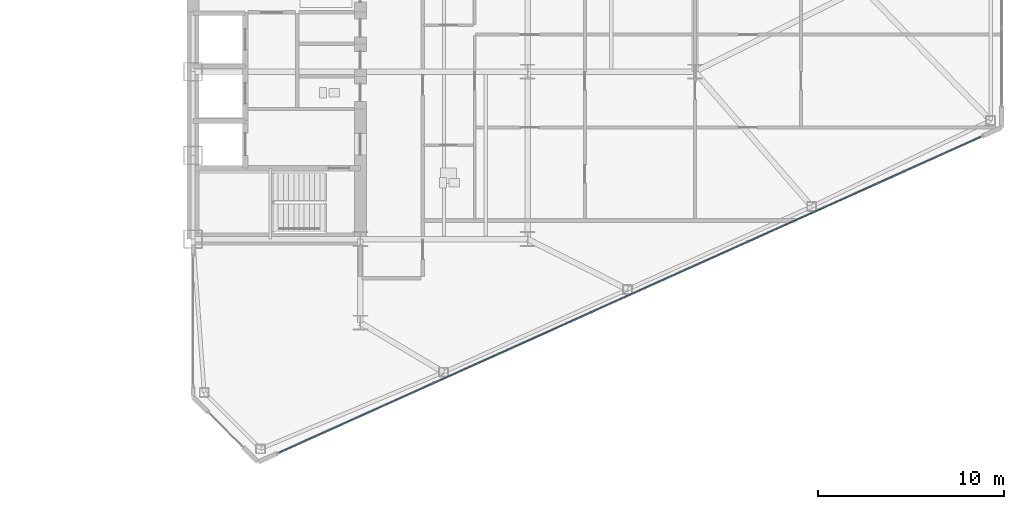
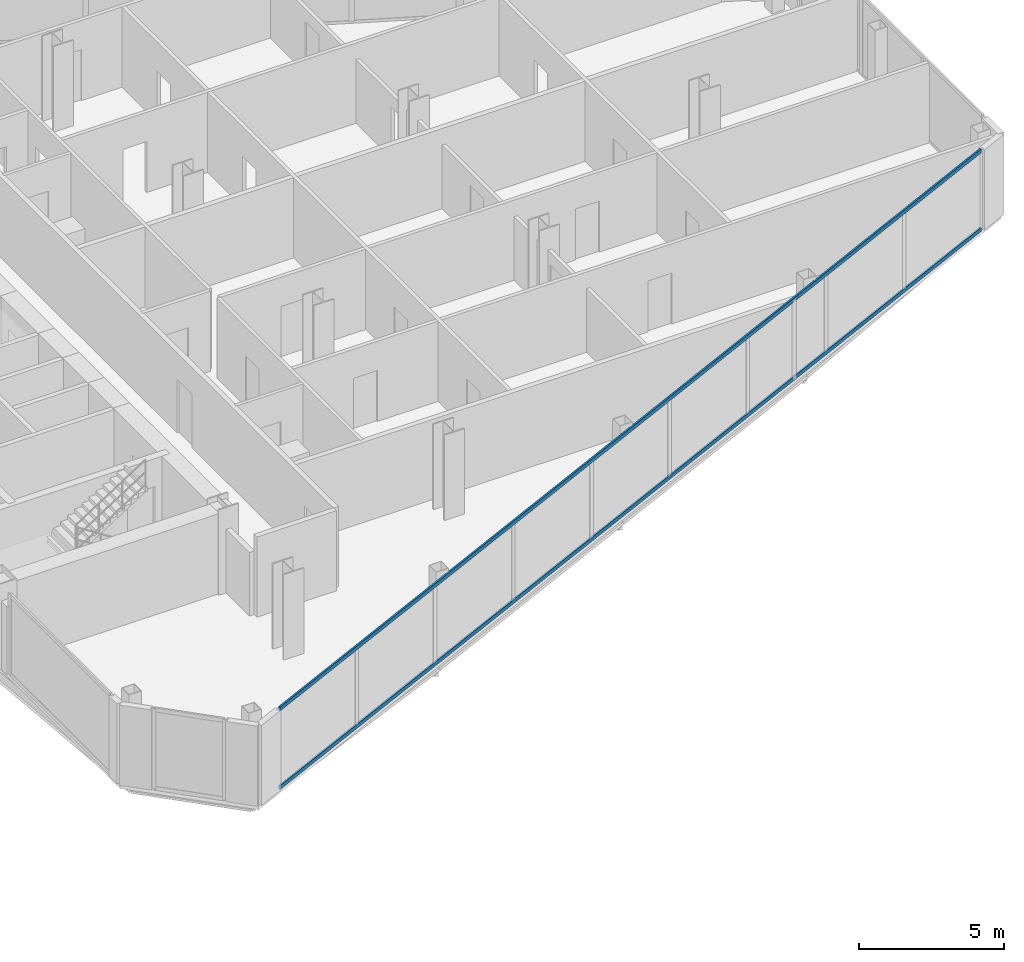
# One storey, part 11 of 27: 2 members, 1 element without a shape of its own.
"""IFC4 building model written with IfcOpenShell, lengths in metres."""

from ifc_helpers import new_model, si_unit, direction, frame, origin, origin_2d, place, context, subcontext, project, spatial, rectangle, extrude, source, transform, mapped, material, layer, layer_set, material_profile, profile_set, type_object, type_shapes, element, aggregate, save


model = new_model("IFC4")

# Units and contexts
model_context = context("Model", 3, precision=1e-05, world=origin(), true_north=direction((0.0, 1.0)))
body_context = subcontext(model_context, "Body", "Model", "MODEL_VIEW")
ifc_project = project(units=[si_unit("LENGTHUNIT", "METRE"), si_unit("AREAUNIT", "SQUARE_METRE"), si_unit("VOLUMEUNIT", "CUBIC_METRE"), si_unit("PLANEANGLEUNIT", "RADIAN"), si_unit("MASSUNIT", "GRAM", prefix="KILO")], contexts=[model_context])

# Site, building, storey
site_placement = place(None, origin())
site = spatial("IfcSite", under=ifc_project, at=site_placement, CompositionType="ELEMENT")
building_placement = place(site_placement, origin())
building = spatial("IfcBuilding", under=site, at=building_placement, Name="Seokmaru Belvedere", CompositionType="ELEMENT")
storey_placement = place(building_placement, frame((0.0, 0.0, 99.60009765625)))
storey = spatial("IfcBuildingStorey", under=building, at=storey_placement, Name="L26", CompositionType="ELEMENT", Elevation=99.60009765625)

# Curtain wall, members
ifc_material_1 = material(Name="Bronze Triple Insulating Glass", Category="glass")
ifc_layer = layer(ifc_material_1, 0.195068359375)
ifc_layer_set = layer_set([ifc_layer], Name="Bronze Triple Insulating Glass")
curtain_wall_type = type_object("IfcCurtainWallType", Name="Lower-Mid Tapered Curtain Wall System CW-3", PredefinedType="NOTDEFINED", material=ifc_layer_set)
curtain_wall_placement = place(storey_placement, origin())
curtain_wall = element("IfcCurtainWall", 1, at=curtain_wall_placement, inside=storey, type_object=curtain_wall_type, Name="L26 Curtain Wall EF1", PredefinedType="NOTDEFINED")
ifc_material_2 = material(Name="Anodised Bronze Aluminium", Category="aluminium")
ifc_material_profile = material_profile(ifc_material_2, rectangle(XDim=0.070068359375, YDim=0.1650390625, at=origin_2d()), Name="CW-T-70x165")
ifc_profile_set = profile_set([ifc_material_profile], Name="Anodised Bronze Aluminium")
member_type = type_object("IfcMemberType", Name="Bronze Unitised Transom 70x165", PredefinedType="USERDEFINED", material=ifc_profile_set)
shared_shape = source(origin(), body_context, "Body", "SweptSolid", [
    extrude(rectangle(XDim=0.070068359375, YDim=0.1650390625, at=origin_2d()), origin(), (0.0, 0.0, 1.0), 41.423583984375),
])
type_shapes(member_type, [shared_shape])
member_1_placement = place(storey_placement, frame((32.112548828125, -24.99951171875, 0.034912109375), z_axis=(0.911918637916, 0.410371048956, 0.0), x_axis=(-0.410371048956, 0.911918637916, 0.0)))
member_1 = element("IfcMember", 2, at=member_1_placement, type_object=member_type, Name="CW:L26:EF1 Continuous Transom 1", ObjectType="TRANSOM", PredefinedType="USERDEFINED", context=body_context, shape_type="MappedRepresentation", body=[
    mapped(shared_shape, transform((0.0, 0.0, 0.0), scale=1.0)),
])
member_2_placement = place(storey_placement, frame((32.112548828125, -24.99951171875, 3.344970703125), z_axis=(0.911918637916, 0.410371048956, 0.0), x_axis=(-0.410371048956, 0.911918637916, 0.0)))
member_2 = element("IfcMember", 3, at=member_2_placement, type_object=member_type, Name="CW:L26:EF1 Continuous Transom 2", ObjectType="TRANSOM", PredefinedType="USERDEFINED", context=body_context, shape_type="MappedRepresentation", body=[
    mapped(shared_shape, transform((0.0, 0.0, 0.0), scale=1.0)),
])
aggregate(curtain_wall, [member_1, member_2])

save(model, "model.ifc")
